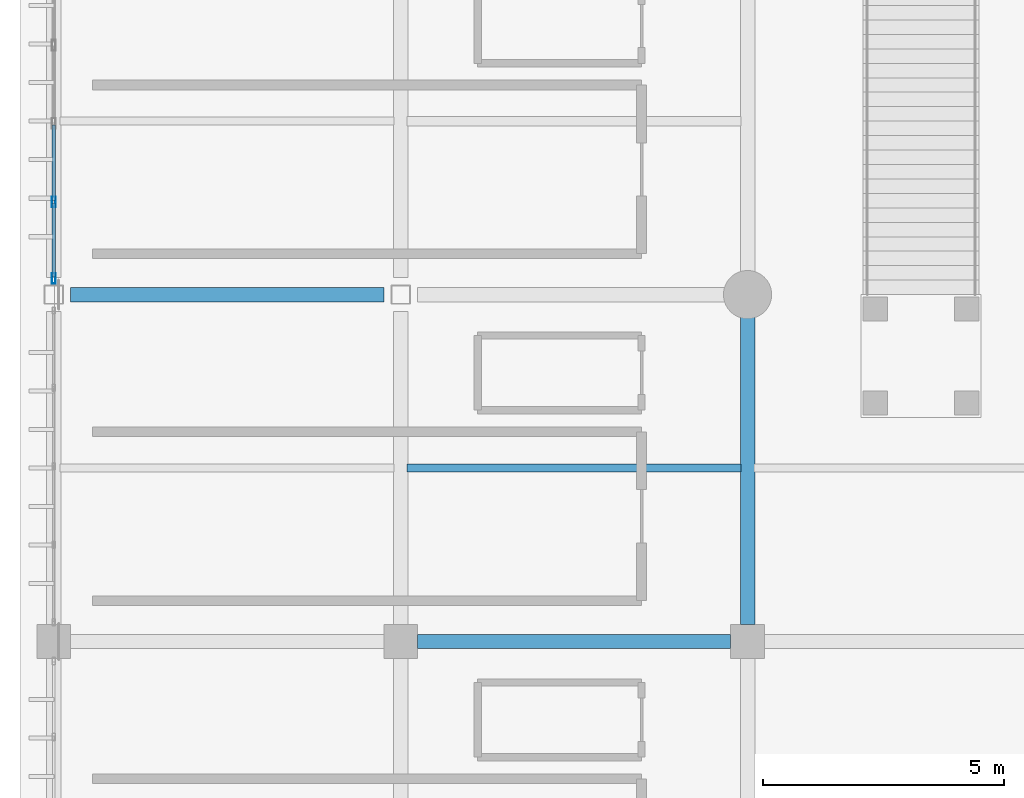
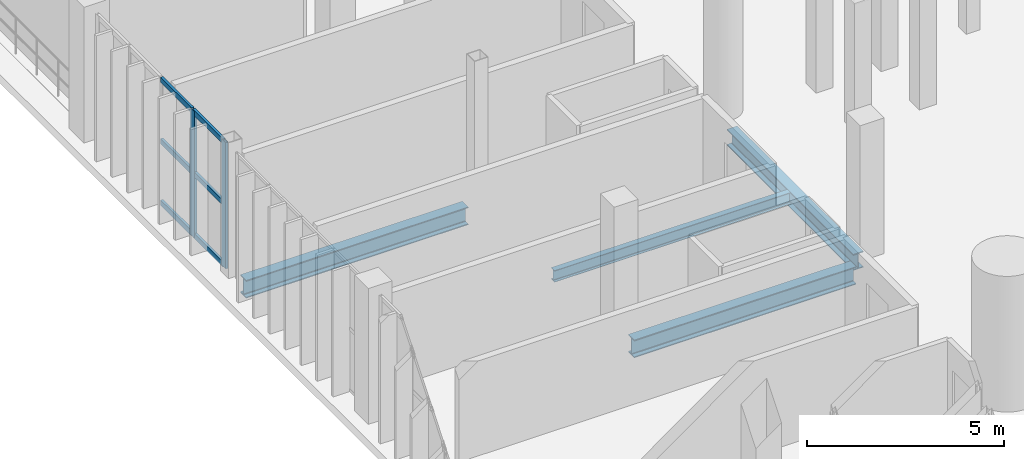
# One storey, part 49 of 130: 8 members, 4 beams, 1 element without a shape of its own.
"""IFC4 building model written with IfcOpenShell, lengths in metres."""

from ifc_helpers import new_model, si_unit, direction, frame, origin, origin_2d, place, context, subcontext, project, spatial, hollow_rectangle, i_section, extrude, material, material_profile, profile_set, type_object, element, aggregate, save


model = new_model("IFC4")

# Units and contexts
model_context = context("Model", 3, precision=1e-05, world=origin(), true_north=direction((0.0, 1.0)))
body_context = subcontext(model_context, "Body", "Model", "MODEL_VIEW")
ifc_project = project(units=[si_unit("LENGTHUNIT", "METRE"), si_unit("AREAUNIT", "SQUARE_METRE"), si_unit("VOLUMEUNIT", "CUBIC_METRE"), si_unit("PLANEANGLEUNIT", "RADIAN"), si_unit("MASSUNIT", "GRAM", prefix="KILO")], contexts=[model_context])

# Site, building, storey
site_placement = place(None, origin())
site = spatial("IfcSite", under=ifc_project, at=site_placement, CompositionType="ELEMENT")
building_placement = place(site_placement, origin())
building = spatial("IfcBuilding", under=site, at=building_placement, Name="Qandorah Velis Arena", CompositionType="ELEMENT")
storey_placement = place(building_placement, frame((0.0, 0.0, 9.60009765625)))
storey = spatial("IfcBuildingStorey", under=building, at=storey_placement, Name="L02", CompositionType="ELEMENT", Elevation=9.60009765625)

# Curtain wall, members
ifc_material_1 = material(Name="Solar-control low-E double glazing", Category="glass")
curtain_wall_type = type_object("IfcCurtainWallType", Name="ARC-CW-SYS17", PredefinedType="USERDEFINED", material=ifc_material_1)
curtain_wall_placement = place(storey_placement, origin())
curtain_wall = element("IfcCurtainWall", 1, at=curtain_wall_placement, inside=storey, type_object=curtain_wall_type, Name="Unitised curtain wall L02-017", ObjectType="UNITISED CURTAIN WALL", PredefinedType="USERDEFINED")
ifc_material_2 = material(Name="Champagne-bronze anodized aluminium 6063-T6", Category="aluminium")
ifc_material_profile_1 = material_profile(ifc_material_2, hollow_rectangle(XDim=0.074951171875, YDim=0.219970703125, WallThickness=0.00390625, at=origin_2d()), Name="ALU MULLION 75x220")
ifc_profile_set_1 = profile_set([ifc_material_profile_1], Name="Champagne-bronze anodized aluminium 6063-T6")
member_type_1 = type_object("IfcMemberType", Name="ARC-CWM-220", PredefinedType="MULLION", material=ifc_profile_set_1)
member_1_placement = place(storey_placement, frame((0.0, 72.33740234375, -0.01513671875), z_axis=(0.0, 0.0, 1.0), x_axis=(-1.0, 0.0, 0.0)))
member_1 = element("IfcMember", 2, at=member_1_placement, type_object=member_type_1, Name="CW17 mullion 1", PredefinedType="MULLION", context=body_context, shape_type="SweptSolid", body=[
    extrude(hollow_rectangle(XDim=0.074951171875, YDim=0.219970703125, WallThickness=0.00390625, at=origin_2d()), origin(), (0.0, 0.0, 1.0), 3.91015625),
])
member_2_placement = place(storey_placement, frame((0.0, 73.925048828125, -0.01513671875), z_axis=(0.0, 0.0, 1.0), x_axis=(-1.0, 0.0, 0.0)))
member_2 = element("IfcMember", 3, at=member_2_placement, type_object=member_type_1, Name="CW17 mullion 2", PredefinedType="MULLION", context=body_context, shape_type="SweptSolid", body=[
    extrude(hollow_rectangle(XDim=0.074951171875, YDim=0.219970703125, WallThickness=0.00390625, at=origin_2d()), origin(), (0.0, 0.0, 1.0), 3.91015625),
])
ifc_material_profile_2 = material_profile(ifc_material_2, hollow_rectangle(XDim=0.074951171875, YDim=0.159912109375, WallThickness=0.00341796875, at=origin_2d()), Name="ALU TRANSOM 75x160")
ifc_profile_set_2 = profile_set([ifc_material_profile_2], Name="Champagne-bronze anodized aluminium 6063-T6")
member_type_2 = type_object("IfcMemberType", Name="ARC-CWT-160", PredefinedType="USERDEFINED", material=ifc_profile_set_2)
member_3_placement = place(storey_placement, frame((0.0, 72.363037109375, 0.037353515625), z_axis=(0.0, 1.0, 0.0), x_axis=(-1.0, 0.0, 0.0)))
member_3 = element("IfcMember", 4, at=member_3_placement, type_object=member_type_2, Name="CW17 transom 1.1", ObjectType="TRANSOM", PredefinedType="USERDEFINED", context=body_context, shape_type="SweptSolid", body=[
    extrude(hollow_rectangle(XDim=0.074951171875, YDim=0.159912109375, WallThickness=0.00341796875, at=origin_2d()), origin(), (0.0, 0.0, 1.0), 1.536376953125),
])
member_4_placement = place(storey_placement, frame((0.0, 72.363037109375, 1.93994140625), z_axis=(0.0, 1.0, 0.0), x_axis=(-1.0, 0.0, 0.0)))
member_4 = element("IfcMember", 5, at=member_4_placement, type_object=member_type_2, Name="CW17 transom 1.2", ObjectType="TRANSOM", PredefinedType="USERDEFINED", context=body_context, shape_type="SweptSolid", body=[
    extrude(hollow_rectangle(XDim=0.074951171875, YDim=0.159912109375, WallThickness=0.00341796875, at=origin_2d()), origin(), (0.0, 0.0, 1.0), 1.536376953125),
])
member_5_placement = place(storey_placement, frame((0.0, 72.363037109375, 3.84228515625), z_axis=(0.0, 1.0, 0.0), x_axis=(-1.0, 0.0, 0.0)))
member_5 = element("IfcMember", 6, at=member_5_placement, type_object=member_type_2, Name="CW17 transom 1.3", ObjectType="TRANSOM", PredefinedType="USERDEFINED", context=body_context, shape_type="SweptSolid", body=[
    extrude(hollow_rectangle(XDim=0.074951171875, YDim=0.159912109375, WallThickness=0.00341796875, at=origin_2d()), origin(), (0.0, 0.0, 1.0), 1.536376953125),
])
member_6_placement = place(storey_placement, frame((0.0, 73.950439453125, 0.037353515625), z_axis=(0.0, 1.0, 0.0), x_axis=(-1.0, 0.0, 0.0)))
member_6 = element("IfcMember", 7, at=member_6_placement, type_object=member_type_2, Name="CW17 transom 2.1", ObjectType="TRANSOM", PredefinedType="USERDEFINED", context=body_context, shape_type="SweptSolid", body=[
    extrude(hollow_rectangle(XDim=0.074951171875, YDim=0.159912109375, WallThickness=0.00341796875, at=origin_2d()), origin(), (0.0, 0.0, 1.0), 1.573974609375),
])
member_7_placement = place(storey_placement, frame((0.0, 73.950439453125, 1.93994140625), z_axis=(0.0, 1.0, 0.0), x_axis=(-1.0, 0.0, 0.0)))
member_7 = element("IfcMember", 8, at=member_7_placement, type_object=member_type_2, Name="CW17 transom 2.2", ObjectType="TRANSOM", PredefinedType="USERDEFINED", context=body_context, shape_type="SweptSolid", body=[
    extrude(hollow_rectangle(XDim=0.074951171875, YDim=0.159912109375, WallThickness=0.00341796875, at=origin_2d()), origin(), (0.0, 0.0, 1.0), 1.573974609375),
])
member_8_placement = place(storey_placement, frame((0.0, 73.950439453125, 3.84228515625), z_axis=(0.0, 1.0, 0.0), x_axis=(-1.0, 0.0, 0.0)))
member_8 = element("IfcMember", 9, at=member_8_placement, type_object=member_type_2, Name="CW17 transom 2.3", ObjectType="TRANSOM", PredefinedType="USERDEFINED", context=body_context, shape_type="SweptSolid", body=[
    extrude(hollow_rectangle(XDim=0.074951171875, YDim=0.159912109375, WallThickness=0.00341796875, at=origin_2d()), origin(), (0.0, 0.0, 1.0), 1.573974609375),
])
aggregate(curtain_wall, [member_1, member_2, member_3, member_4, member_5, member_6, member_7, member_8])

# Beams
ifc_material_3 = material(Name="Steel S355", Category="steel")
ifc_material_profile_3 = material_profile(ifc_material_3, i_section(OverallWidth=0.300048828125, OverallDepth=0.5, WebThickness=0.014404296875, FlangeThickness=0.028076171875, FilletRadius=0.027099609375, at=origin_2d()), Name="HEB 500")
ifc_profile_set_3 = profile_set([ifc_material_profile_3], Name="Steel S355")
beam_type_1 = type_object("IfcBeamType", Name="STR-BM-HEB500", PredefinedType="BEAM", material=ifc_profile_set_3)
beam_1_placement = place(storey_placement, frame((14.39990234375, 65.14990234375, -0.530029296875), z_axis=(0.0, 1.0, 0.0), x_axis=(-1.0, 0.0, 0.0)))
element("IfcBeam", 10, at=beam_1_placement, inside=storey, type_object=beam_type_1, Name="Primary floor girder L02 Y-219", PredefinedType="BEAM", context=body_context, shape_type="SweptSolid", body=[
    extrude(i_section(OverallWidth=0.300048828125, OverallDepth=0.5, WebThickness=0.014404296875, FlangeThickness=0.028076171875, FilletRadius=0.027099609375, at=origin_2d()), origin(), (0.0, 0.0, 1.0), 6.400146484375),
])
ifc_material_profile_4 = material_profile(ifc_material_3, i_section(OverallWidth=0.300048828125, OverallDepth=0.550048828125, WebThickness=0.014892578125, FlangeThickness=0.029052734375, FilletRadius=0.027099609375, at=origin_2d()), Name="HEB 550")
ifc_profile_set_4 = profile_set([ifc_material_profile_4], Name="Steel S355")
beam_type_2 = type_object("IfcBeamType", Name="STR-BM-HEB550", PredefinedType="BEAM", material=ifc_profile_set_4)
for number, where, z_axis, x_axis, name in (
    (11, (7.550048828125, 64.800048828125, -0.55517578125), (1.0, 0.0, 0.0), (0.0, 1.0, 0.0), "Primary floor girder L02 X-092"),
    (12, (0.35009765625, 72.0, -0.55517578125), (1.0, 0.0, 0.0), (0.0, 1.0, 0.0), "Primary floor girder L02 X-098"),
):
    element("IfcBeam", number, at=place(storey_placement, frame(where, z_axis=z_axis, x_axis=x_axis)), inside=storey, type_object=beam_type_2, Name=name, PredefinedType="BEAM", context=body_context, shape_type="SweptSolid", body=[
        extrude(i_section(OverallWidth=0.300048828125, OverallDepth=0.550048828125, WebThickness=0.014892578125, FlangeThickness=0.029052734375, FilletRadius=0.027099609375, at=origin_2d()), origin(), (0.0, 0.0, 1.0), 6.5),
    ])
ifc_material_profile_5 = material_profile(ifc_material_3, i_section(OverallWidth=0.169921875, OverallDepth=0.360107421875, WebThickness=0.008056640625, FlangeThickness=0.0126953125, FilletRadius=0.01806640625, at=origin_2d()), Name="IPE 360")
ifc_profile_set_5 = profile_set([ifc_material_profile_5], Name="Steel S355")
beam_type_3 = type_object("IfcBeamType", Name="STR-JST-IPE360", PredefinedType="JOIST", material=ifc_profile_set_5)
beam_2_placement = place(storey_placement, frame((7.3349609375, 68.39990234375, -0.460205078125), z_axis=(1.0, 0.0, 0.0), x_axis=(0.0, 1.0, 0.0)))
element("IfcBeam", 13, at=beam_2_placement, inside=storey, type_object=beam_type_3, Name="Secondary floor joist L02-018", PredefinedType="JOIST", context=body_context, shape_type="SweptSolid", body=[
    extrude(i_section(OverallWidth=0.169921875, OverallDepth=0.360107421875, WebThickness=0.008056640625, FlangeThickness=0.0126953125, FilletRadius=0.01806640625, at=origin_2d()), origin(), (0.0, 0.0, 1.0), 6.929931640625),
])

save(model, "model.ifc")
